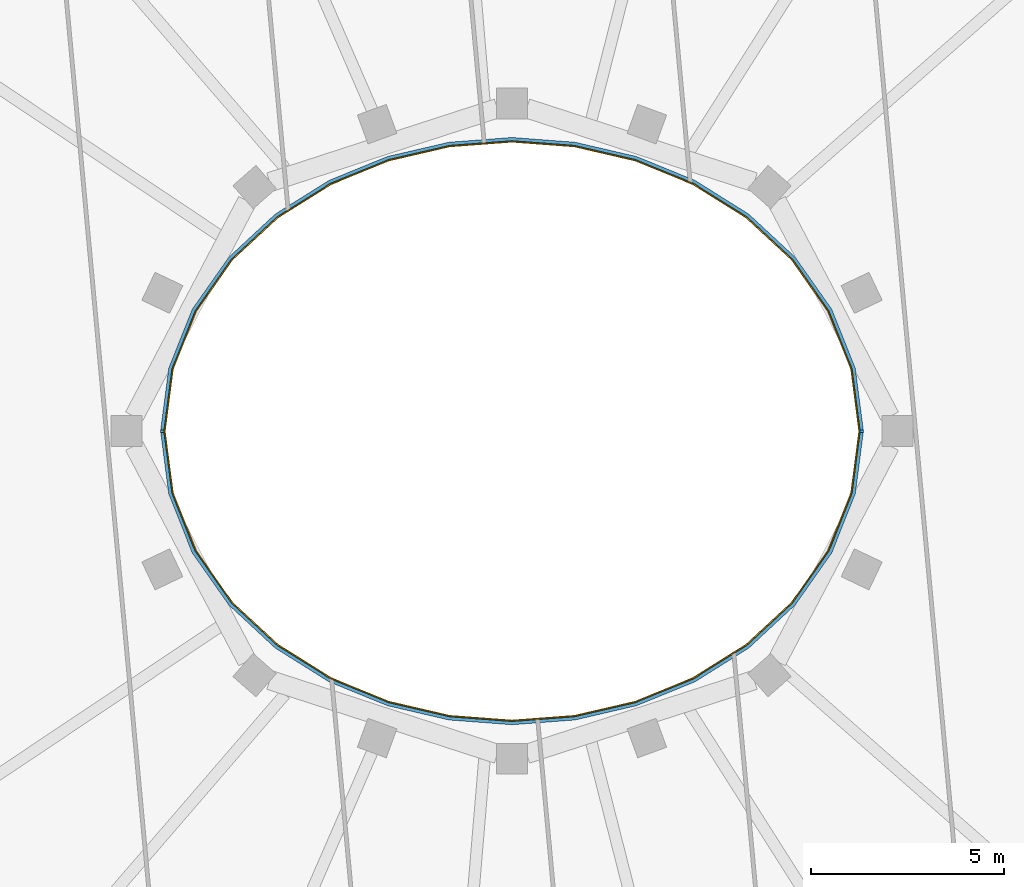
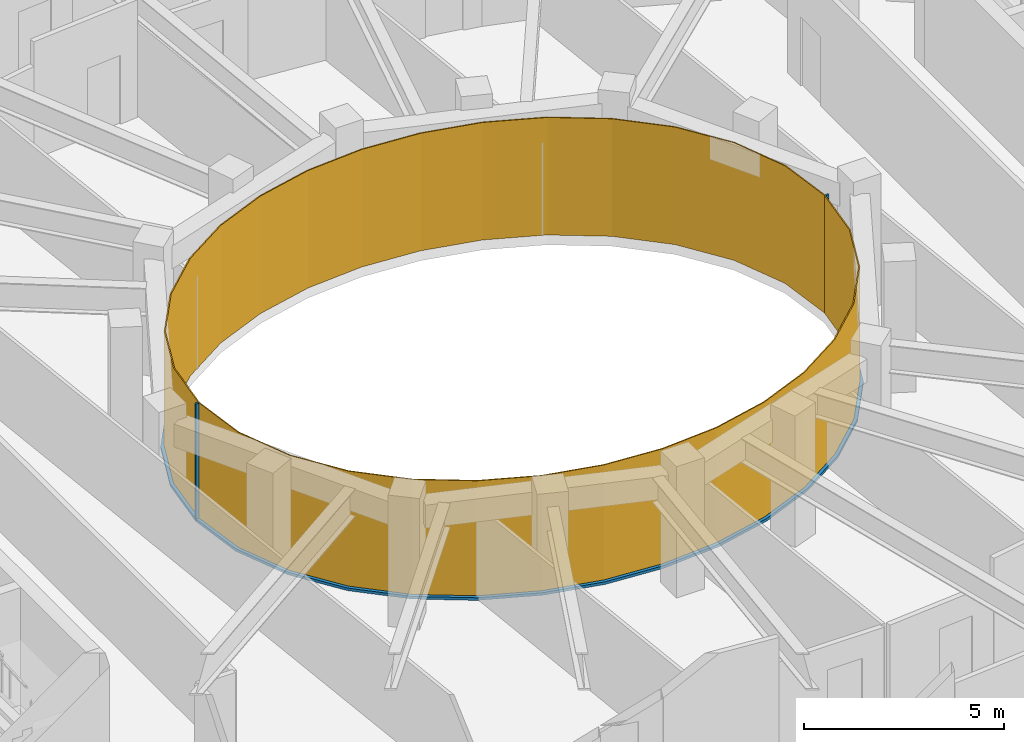
# One storey, part 9 of 14: 4 members, 2 curtain walls.
"""IFC4 building model written with IfcOpenShell, lengths in metres."""

from ifc_helpers import new_model, si_unit, direction, frame, origin, origin_2d, place, context, subcontext, project, spatial, polyline, rectangle, outline, extrude, material, layer, layer_set, material_profile, profile_set, type_object, element, aggregate, save


model = new_model("IFC4")

# Units and contexts
model_context = context("Model", 3, precision=1e-05, world=origin(), true_north=direction((0.0, 1.0)))
body_context = subcontext(model_context, "Body", "Model", "MODEL_VIEW")
ifc_project = project(units=[si_unit("LENGTHUNIT", "METRE"), si_unit("AREAUNIT", "SQUARE_METRE"), si_unit("VOLUMEUNIT", "CUBIC_METRE"), si_unit("PLANEANGLEUNIT", "RADIAN"), si_unit("MASSUNIT", "GRAM", prefix="KILO")], contexts=[model_context])

# Member
ifc_material_1 = material(Name="Steel S355 fire-resisting frame", Category="steel")
ifc_material_profile = material_profile(ifc_material_1, rectangle(XDim=0.090087890625, YDim=0.06005859375, at=origin_2d()), Name="90x60")
ifc_profile_set = profile_set([ifc_material_profile], Name="Steel S355 fire-resisting frame")
member_type_1 = type_object("IfcMemberType", Name="ENV-MULLION-W-90", PredefinedType="MULLION", material=ifc_profile_set)
site_placement = place(None, origin())
building_placement = place(site_placement, origin())
storey_placement = place(building_placement, frame((0.0, 0.0, 343.0)))
member_1_placement = place(storey_placement, frame((9.076904296875, 0.0, 0.0), z_axis=(0.0, 0.0, 1.0), x_axis=(1.0, 0.0, 0.0)))
member_1 = element("IfcMember", 1, at=member_1_placement, type_object=member_type_1, Name="Mullion W well vertex 01", PredefinedType="MULLION", context=body_context, shape_type="SweptSolid", body=[
    extrude(rectangle(XDim=0.090087890625, YDim=0.06005859375, at=origin_2d()), origin(), (0.0, 0.0, 1.0), 3.580078125),
])

member_2_placement = place(storey_placement, frame((-9.076904296875, 0.0, 0.0), z_axis=(0.0, 0.0, 1.0), x_axis=(-1.0, 0.0, 0.0)))
member_2 = element("IfcMember", 2, at=member_2_placement, type_object=member_type_1, Name="Mullion W well vertex 17", PredefinedType="MULLION", context=body_context, shape_type="SweptSolid", body=[
    extrude(rectangle(XDim=0.090087890625, YDim=0.06005859375, at=origin_2d()), origin(), (0.0, 0.0, 1.0), 3.580078125),
])

ifc_material_2 = material(Name="Steel S355 fire-resisting frame", Category="steel")
member_type_2 = type_object("IfcMemberType", Name="ENV-TRANSOM-W", PredefinedType="USERDEFINED", material=ifc_material_2)
member_3_placement = place(storey_placement, origin())
member_3 = element("IfcMember", 3, at=member_3_placement, type_object=member_type_2, Name="Transom W well 01-17", ObjectType="TRANSOM", PredefinedType="USERDEFINED", context=body_context, shape_type="SweptSolid", body=[
    extrude(outline(polyline([(9.119384765625, 0.02783203125), (8.910400390625, 1.63623046875), (8.29833984375, 3.167236328125), (7.35107421875, 4.5146484375), (6.1455078125, 5.6337890625), (4.75341796875, 6.50634765625), (3.233642578125, 7.127685546875), (1.635498046875, 7.498779296875), (0.0, 7.622314453125), (-1.635498046875, 7.498779296875), (-3.233642578125, 7.127685546875), (-4.75341796875, 6.50634765625), (-6.1455078125, 5.6337890625), (-7.35107421875, 4.5146484375), (-8.29833984375, 3.167236328125), (-8.910400390625, 1.63623046875), (-9.119384765625, 0.02783203125), (-9.02880859375, 0.02783203125), (-8.822509765625, 1.61328125), (-8.21875, 3.124267578125), (-7.282958984375, 4.455078125), (-6.090576171875, 5.56201171875), (-4.712158203125, 6.426025390625), (-3.206298828125, 7.04150390625), (-1.621826171875, 7.40966796875), (0.0, 7.531982421875), (1.621826171875, 7.40966796875), (3.206298828125, 7.04150390625), (4.712158203125, 6.426025390625), (6.090576171875, 5.56201171875), (7.282958984375, 4.455078125), (8.21875, 3.124267578125), (8.822509765625, 1.61328125), (9.02880859375, 0.02783203125), (9.119384765625, 0.02783203125)])), origin(), (0.0, 0.0, 1.0), 0.080078125),
])

member_4_placement = place(storey_placement, origin())
member_4 = element("IfcMember", 4, at=member_4_placement, type_object=member_type_2, Name="Transom W well 17-01", ObjectType="TRANSOM", PredefinedType="USERDEFINED", context=body_context, shape_type="SweptSolid", body=[
    extrude(outline(polyline([(-9.119384765625, -0.02783203125), (-8.910400390625, -1.63623046875), (-8.29833984375, -3.167236328125), (-7.35107421875, -4.5146484375), (-6.1455078125, -5.6337890625), (-4.75341796875, -6.50634765625), (-3.233642578125, -7.127685546875), (-1.635498046875, -7.498779296875), (0.0, -7.622314453125), (1.635498046875, -7.498779296875), (3.233642578125, -7.127685546875), (4.75341796875, -6.50634765625), (6.1455078125, -5.6337890625), (7.35107421875, -4.5146484375), (8.29833984375, -3.167236328125), (8.910400390625, -1.63623046875), (9.119384765625, -0.02783203125), (9.02880859375, -0.02783203125), (8.822509765625, -1.61328125), (8.21875, -3.124267578125), (7.282958984375, -4.455078125), (6.090576171875, -5.56201171875), (4.712158203125, -6.426025390625), (3.206298828125, -7.04150390625), (1.621826171875, -7.40966796875), (0.0, -7.531982421875), (-1.621826171875, -7.40966796875), (-3.206298828125, -7.04150390625), (-4.712158203125, -6.426025390625), (-6.090576171875, -5.56201171875), (-7.282958984375, -4.455078125), (-8.21875, -3.124267578125), (-8.822509765625, -1.61328125), (-9.02880859375, -0.02783203125), (-9.119384765625, -0.02783203125)])), origin(), (0.0, 0.0, 1.0), 0.080078125),
])

# Site, building, storey
site = spatial("IfcSite", under=ifc_project, at=site_placement, CompositionType="ELEMENT")
building = spatial("IfcBuilding", under=site, at=building_placement, Name="Noorbagh Ring Tower", CompositionType="ELEMENT")
storey = spatial("IfcBuildingStorey", under=building, at=storey_placement, Name="L75", CompositionType="ELEMENT", Elevation=343.0)

# Curtain wall
ifc_material_3 = material(Name="Glass fire-resisting E60 laminated", Category="glass")
ifc_layer = layer(ifc_material_3, 0.031982421875)
ifc_layer_set = layer_set([ifc_layer], Name="Glass fire-resisting E60 laminated")
curtain_wall_type = type_object("IfcCurtainWallType", Name="ENV-CW-W", PredefinedType="NOTDEFINED", material=ifc_layer_set)
curtain_wall_1_placement = place(storey_placement, origin())
curtain_wall_1 = element("IfcCurtainWall", 5, at=curtain_wall_1_placement, inside=storey, type_object=curtain_wall_type, Name="Curtain wall W W01", PredefinedType="NOTDEFINED", context=body_context, shape_type="SweptSolid", body=[
    extrude(outline(polyline([(9.0322265625, 0.0), (8.822509765625, 1.61328125), (8.21875, 3.124267578125), (7.282958984375, 4.455078125), (6.090576171875, 5.56201171875), (4.712158203125, 6.426025390625), (3.206298828125, 7.04150390625), (1.621826171875, 7.40966796875), (0.0, 7.531982421875), (-1.621826171875, 7.40966796875), (-3.206298828125, 7.04150390625), (-4.712158203125, 6.426025390625), (-6.090576171875, 5.56201171875), (-7.282958984375, 4.455078125), (-8.21875, 3.124267578125), (-8.822509765625, 1.61328125), (-9.0322265625, 0.0), (-9.0, 0.0), (-8.79150390625, 1.605224609375), (-8.1904296875, 3.10888671875), (-7.2587890625, 4.43408203125), (-6.071044921875, 5.53662109375), (-4.697509765625, 6.3974609375), (-3.196533203125, 7.010986328125), (-1.6171875, 7.3779296875), (0.0, 7.5), (1.6171875, 7.3779296875), (3.196533203125, 7.010986328125), (4.697509765625, 6.3974609375), (6.071044921875, 5.53662109375), (7.2587890625, 4.43408203125), (8.1904296875, 3.10888671875), (8.79150390625, 1.605224609375), (9.0, 0.0), (9.0322265625, 0.0)])), origin(), (0.0, 0.0, 1.0), 3.580078125),
])

aggregate(curtain_wall_1, [member_1, member_2, member_3])

curtain_wall_2_placement = place(storey_placement, origin())
curtain_wall_2 = element("IfcCurtainWall", 6, at=curtain_wall_2_placement, inside=storey, type_object=curtain_wall_type, Name="Curtain wall W W17", PredefinedType="NOTDEFINED", context=body_context, shape_type="SweptSolid", body=[
    extrude(outline(polyline([(-9.0322265625, 0.0), (-8.822509765625, -1.61328125), (-8.21875, -3.124267578125), (-7.282958984375, -4.455078125), (-6.090576171875, -5.56201171875), (-4.712158203125, -6.426025390625), (-3.206298828125, -7.04150390625), (-1.621826171875, -7.40966796875), (0.0, -7.531982421875), (1.621826171875, -7.40966796875), (3.206298828125, -7.04150390625), (4.712158203125, -6.426025390625), (6.090576171875, -5.56201171875), (7.282958984375, -4.455078125), (8.21875, -3.124267578125), (8.822509765625, -1.61328125), (9.0322265625, 0.0), (9.0, 0.0), (8.79150390625, -1.605224609375), (8.1904296875, -3.10888671875), (7.2587890625, -4.43408203125), (6.071044921875, -5.53662109375), (4.697509765625, -6.3974609375), (3.196533203125, -7.010986328125), (1.6171875, -7.3779296875), (0.0, -7.5), (-1.6171875, -7.3779296875), (-3.196533203125, -7.010986328125), (-4.697509765625, -6.3974609375), (-6.071044921875, -5.53662109375), (-7.2587890625, -4.43408203125), (-8.1904296875, -3.10888671875), (-8.79150390625, -1.605224609375), (-9.0, 0.0), (-9.0322265625, 0.0)])), origin(), (0.0, 0.0, 1.0), 3.580078125),
])

aggregate(curtain_wall_2, [member_4])

save(model, "model.ifc")
